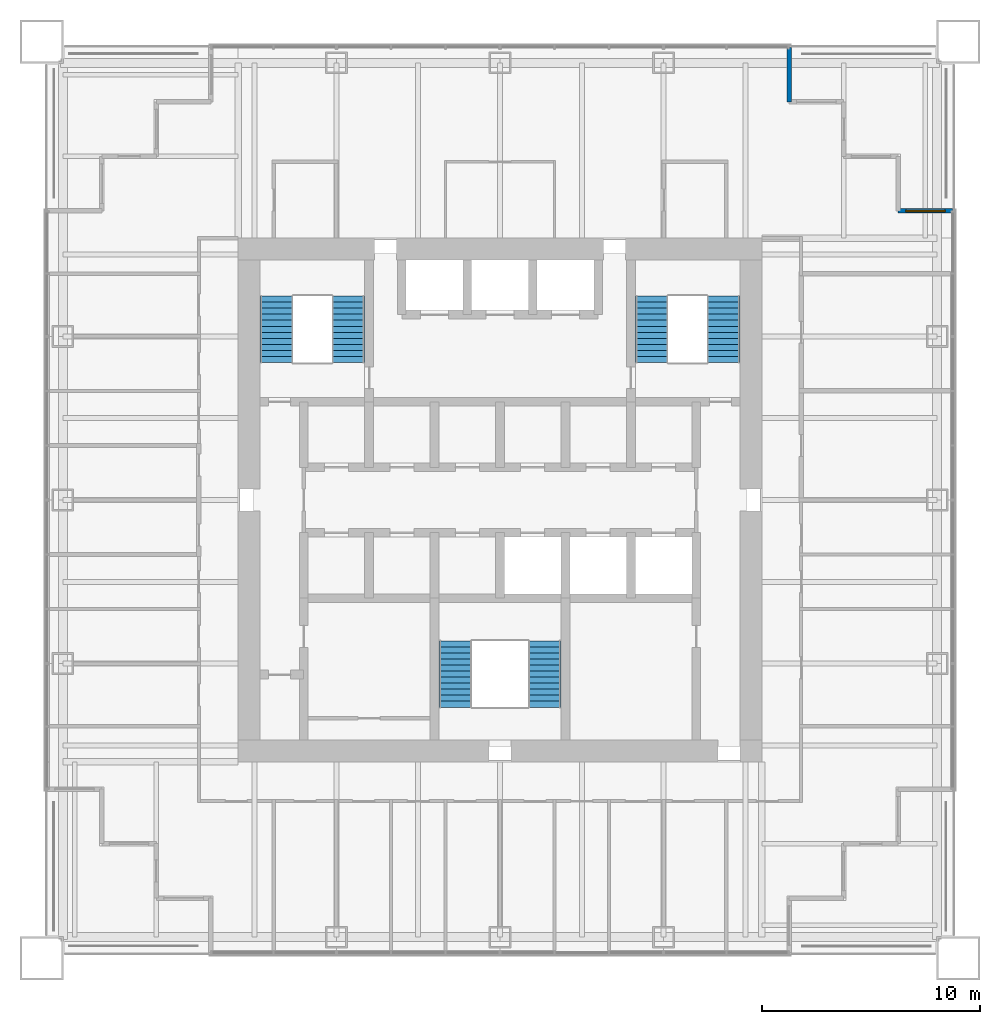
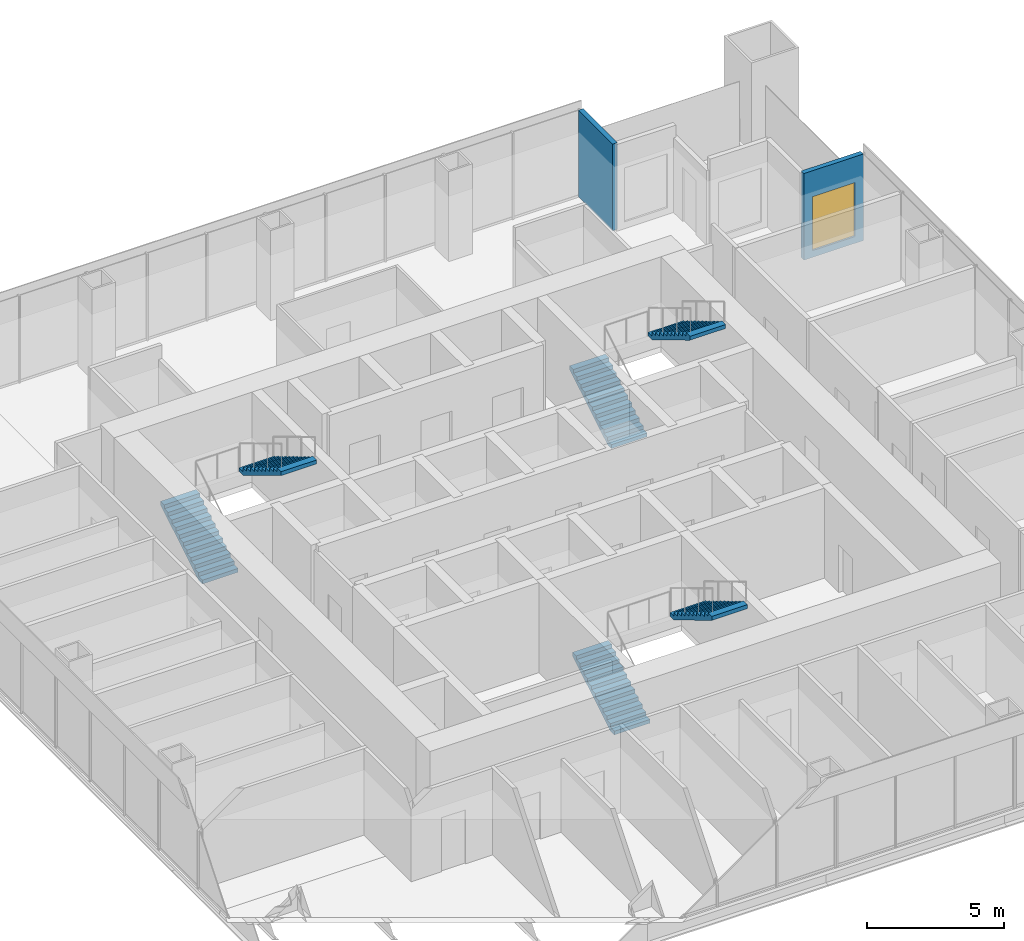
# One storey, part 13 of 15: 6 stair flights, 2 walls, 1 window, 1 opening, 3 elements without a shape of their own.
"""IFC4 building model written with IfcOpenShell, lengths in metres."""

import ifcopenshell
import ifcopenshell.guid

model = None  # the IFC model being written
_history = None  # IfcOwnerHistory: only IFC2X3 demands one
_inside = {}  # id of a spatial element -> (the spatial element, [elements in it])
_under = {}  # id of a project, library or spatial element -> (it, [spatial elements below it])
_declared = {}  # id of a project -> (the project, [libraries it declares])
_typed = {}  # id of a type object -> (the type object, [elements of that type])
_made_of = {}  # id of a material, layer set ... -> (it, [elements and type objects made of it])


def new_model(schema):
    """Start an empty IFC model of exactly this schema.

    Asked for "IFC4X3", IfcOpenShell would pick the latest addendum, in which some entities
    have other attributes; the version numbers below select the first issue.
    IFC2X3 requires an IfcOwnerHistory on every rooted entity: one is made here for all.
    """
    global model, _history
    if schema == "IFC4X3":
        model = ifcopenshell.file(schema_version=(4, 3, 0, 0))
    else:
        model = ifcopenshell.file(schema=schema)
    _inside.clear()
    _under.clear()
    _declared.clear()
    _typed.clear()
    _made_of.clear()
    _history = None
    if model.schema == "IFC2X3":
        org = make("IfcOrganization", Name="unknown")
        user = make(
            "IfcPersonAndOrganization",
            ThePerson=make("IfcPerson", FamilyName="unknown"),
            TheOrganization=org,
        )
        app = make(
            "IfcApplication",
            ApplicationDeveloper=org,
            Version="unknown",
            ApplicationFullName="unknown",
            ApplicationIdentifier="unknown",
        )
        _history = make(
            "IfcOwnerHistory",
            OwningUser=user,
            OwningApplication=app,
            ChangeAction="ADDED",
            CreationDate=0,
        )
    return model


def make(cls, **values):
    """One entity of the class cls with the attributes given. An attribute that is None is left unset."""
    return model.create_entity(
        cls, **{name: value for name, value in values.items() if value is not None}
    )


def rooted(cls, **values):
    """An entity with a GlobalId (a new one), such as an element, a storey or a relation."""
    return make(cls, GlobalId=ifcopenshell.guid.new(), OwnerHistory=_history, **values)


def si_unit(unit_type, name, prefix=None):
    """IfcSIUnit, for example si_unit("LENGTHUNIT", "METRE", prefix="MILLI")."""
    return make("IfcSIUnit", UnitType=unit_type, Prefix=prefix, Name=name)


def assignment(units):
    """IfcUnitAssignment: the units of a project."""
    return None if units is None else make("IfcUnitAssignment", Units=units)


def point(xyz):
    """IfcCartesianPoint."""
    return None if xyz is None else make("IfcCartesianPoint", Coordinates=xyz)


def direction(xyz):
    """IfcDirection."""
    return None if xyz is None else make("IfcDirection", DirectionRatios=xyz)


def frame(location, z_axis=None, x_axis=None):
    """IfcAxis2Placement3D, a coordinate frame: its origin and axes. An axis left out is left unset."""
    return make(
        "IfcAxis2Placement3D",
        Location=point(location),
        Axis=direction(z_axis),
        RefDirection=direction(x_axis),
    )


def frame_2d(location, x_axis=None):
    """IfcAxis2Placement2D, a coordinate frame in the plane: its origin and x axis."""
    return make(
        "IfcAxis2Placement2D", Location=point(location), RefDirection=direction(x_axis)
    )


def origin():
    """The frame at (0, 0, 0) with its axes left unset."""
    return frame((0.0, 0.0, 0.0))


def place(relative_to, where):
    """IfcLocalPlacement: puts the frame where relative to a parent placement (None: the world)."""
    return make(
        "IfcLocalPlacement", PlacementRelTo=relative_to, RelativePlacement=where
    )


def context(
    kind, dimensions, precision=None, world=None, true_north=None, identifier=None
):
    """IfcGeometricRepresentationContext, for example the 3D "Model" context."""
    return make(
        "IfcGeometricRepresentationContext",
        ContextIdentifier=identifier,
        ContextType=kind,
        CoordinateSpaceDimension=dimensions,
        Precision=precision,
        WorldCoordinateSystem=world,
        TrueNorth=true_north,
    )


def subcontext(parent, identifier, kind, view, scale=None):
    """IfcGeometricRepresentationSubContext, for example "Body" below "Model"."""
    return make(
        "IfcGeometricRepresentationSubContext",
        ContextIdentifier=identifier,
        ContextType=kind,
        ParentContext=parent,
        TargetScale=scale,
        TargetView=view,
    )


def project(units=None, contexts=None):
    """IfcProject with its units and contexts."""
    return rooted(
        "IfcProject",
        Name="project",
        RepresentationContexts=contexts,
        UnitsInContext=assignment(units),
    )


def spatial(cls, under=None, at=None, **own):
    """A site, building, storey or space (cls), placed at a placement, below another one or the project."""
    s = rooted(cls, ObjectPlacement=at, **own)
    if under is not None:
        _under.setdefault(under.id(), (under, []))[1].append(s)
    return s


def polyline(points):
    """IfcPolyline through the points."""
    return make("IfcPolyline", Points=[point(p) for p in points])


def profile(cls, at=None, kind="AREA", **sizes):
    """A parametric profile (cls). Its sizes go by their IFC names, for example OverallWidth=200.0."""
    return make(cls, ProfileType=kind, Position=at, **sizes)


def rectangle(**sizes):
    """IfcRectangleProfileDef."""
    return profile("IfcRectangleProfileDef", **sizes)


def outline(outer, holes=None, kind="AREA"):
    """IfcArbitraryClosedProfileDef: a profile drawn as a closed curve; with holes, ...WithVoids."""
    if holes is None:
        return make("IfcArbitraryClosedProfileDef", ProfileType=kind, OuterCurve=outer)
    return make(
        "IfcArbitraryProfileDefWithVoids",
        ProfileType=kind,
        OuterCurve=outer,
        InnerCurves=holes,
    )


def extrude(swept, where, along, depth):
    """IfcExtrudedAreaSolid: the profile swept, set in the frame where, extruded along a direction by depth."""
    return make(
        "IfcExtrudedAreaSolid",
        SweptArea=swept,
        Position=where,
        ExtrudedDirection=direction(along),
        Depth=depth,
    )


def shape(context_of_items, identifier, shape_type, items):
    """IfcShapeRepresentation: the items that make up one representation, for example the "Body"."""
    return make(
        "IfcShapeRepresentation",
        ContextOfItems=context_of_items,
        RepresentationIdentifier=identifier,
        RepresentationType=shape_type,
        Items=items,
    )


def material(Name=None, Category=None):
    """IfcMaterial."""
    return make("IfcMaterial", Name=Name, Category=Category)


def layer(
    of_material, thickness, ventilated=None, Name=None, Category=None, Priority=None
):
    """IfcMaterialLayer: one layer of a wall or slab, of a material (None: an air gap)."""
    return make(
        "IfcMaterialLayer",
        Material=of_material,
        LayerThickness=thickness,
        IsVentilated=ventilated,
        Name=Name,
        Category=Category,
        Priority=Priority,
    )


def layer_set(layers, Name=None):
    """IfcMaterialLayerSet."""
    return make("IfcMaterialLayerSet", MaterialLayers=layers, LayerSetName=Name)


def made_of(thing, what):
    """Note that an element or type object is made of a material, layer set ...; save() writes the relation."""
    if what is not None:
        _made_of.setdefault(what.id(), (what, []))[1].append(thing)
    return thing


def type_object(cls, material=None, **own):
    """A type object (cls), such as IfcWallType, which elements share."""
    return made_of(rooted(cls, **own), material)


def element(
    cls,
    number,
    at=None,
    inside=None,
    cuts=None,
    type_object=None,
    material=None,
    context=None,
    identifier="Body",
    shape_type=None,
    held_by="IfcProductDefinitionShape",
    body=None,
    shapes=None,
    **own,
):
    """One element of the class cls, such as IfcWall. Its Tag is "e" and its number.

    at: its placement. inside: the storey or other place that contains it. cuts: it is an
    opening in that element (IfcRelVoidsElement). A single representation is given by context,
    identifier, shape_type and body (its items); several are given by shapes. held_by: the class
    of the entity that holds the representations. save() writes the other relations.
    """
    e = rooted(cls, Tag="e%d" % number, ObjectPlacement=at, **own)
    if body is not None:
        shapes = [shape(context, identifier, shape_type, body)]
    if shapes is not None:
        e.Representation = make(held_by, Representations=shapes)
    if inside is not None:
        _inside.setdefault(inside.id(), (inside, []))[1].append(e)
    if cuts is not None:
        rooted(
            "IfcRelVoidsElement", RelatingBuildingElement=cuts, RelatedOpeningElement=e
        )
    if type_object is not None:
        _typed.setdefault(type_object.id(), (type_object, []))[1].append(e)
    return made_of(e, material)


def fill(opening, filler):
    """IfcRelFillsElement: the door or window that sits in an opening."""
    return rooted(
        "IfcRelFillsElement",
        RelatingOpeningElement=opening,
        RelatedBuildingElement=filler,
    )


def aggregate(whole, parts):
    """IfcRelAggregates: a whole, such as a stair, and the parts it consists of."""
    return rooted("IfcRelAggregates", RelatingObject=whole, RelatedObjects=parts)


def save(model, path):
    """Write the relations noted so far, then the file.

    IfcRelAggregates (storeys below a building ...), IfcRelContainedInSpatialStructure (elements
    in a storey), IfcRelDefinesByType, IfcRelAssociatesMaterial and IfcRelDeclares: one each for
    every whole, place, type object, material and project.
    """
    for whole, parts in _under.values():
        aggregate(whole, parts)
    for where, things in _inside.values():
        rooted(
            "IfcRelContainedInSpatialStructure",
            RelatedElements=things,
            RelatingStructure=where,
        )
    for kind, things in _typed.values():
        rooted("IfcRelDefinesByType", RelatedObjects=things, RelatingType=kind)
    for what, things in _made_of.values():
        rooted("IfcRelAssociatesMaterial", RelatedObjects=things, RelatingMaterial=what)
    for by, libraries in _declared.values():
        rooted("IfcRelDeclares", RelatingContext=by, RelatedDefinitions=libraries)
    model.write(path)


model = new_model("IFC4")

# Units and contexts
model_context = context("Model", 3, precision=1e-05, world=origin(), true_north=direction((0.0, 1.0)))
body_context = subcontext(model_context, "Body", "Model", "MODEL_VIEW")
ifc_project = project(units=[si_unit("LENGTHUNIT", "METRE"), si_unit("AREAUNIT", "SQUARE_METRE"), si_unit("VOLUMEUNIT", "CUBIC_METRE"), si_unit("PLANEANGLEUNIT", "RADIAN"), si_unit("MASSUNIT", "GRAM", prefix="KILO")], contexts=[model_context])

# Site, building, storey
site_placement = place(None, origin())
site = spatial("IfcSite", under=ifc_project, at=site_placement, CompositionType="ELEMENT")
building_placement = place(site_placement, origin())
building = spatial("IfcBuilding", under=site, at=building_placement, Name="Tarangal Relay Tower", CompositionType="ELEMENT")
storey_placement = place(building_placement, frame((0.0, 0.0, 299.89990234375)))
storey = spatial("IfcBuildingStorey", under=building, at=storey_placement, Name="L66", CompositionType="ELEMENT", Elevation=299.89990234375)

# Wall
ifc_material_1 = material(Name="Black metal clad insulated wall", Category="steel")
ifc_layer = layer(ifc_material_1, 0.199951171875)
ifc_layer_set = layer_set([ifc_layer], Name="Corner wall metal clad 200")
wall_type = type_object("IfcWallType", Name="Corner wall metal clad 200", PredefinedType="SOLIDWALL", material=ifc_layer_set)
wall_1_placement = place(storey_placement, frame((13.25, 20.75, 0.0), z_axis=(0.0, 0.0, 1.0), x_axis=(0.0, -1.0, 0.0)))
element("IfcWall", 1, at=wall_1_placement, inside=storey, type_object=wall_type, Name="Facade wall N facade L66", PredefinedType="SOLIDWALL", context=body_context, shape_type="SweptSolid", body=[
    extrude(rectangle(XDim=2.5, YDim=0.199951171875, at=frame_2d((1.25, 0.0))), origin(), (0.0, 0.0, 1.0), 3.85009765625),
])

# Wall, opening, window
wall_2_placement = place(storey_placement, frame((18.25, 13.25, 0.0), z_axis=(0.0, 0.0, 1.0), x_axis=(1.0, 0.0, 0.0)))
wall_2 = element("IfcWall", 2, at=wall_2_placement, inside=storey, type_object=wall_type, Name="Facade wall N facade L66", PredefinedType="SOLIDWALL", context=body_context, shape_type="SweptSolid", body=[
    extrude(rectangle(XDim=2.5, YDim=0.199951171875, at=frame_2d((1.25, 0.0))), origin(), (0.0, 0.0, 1.0), 3.85009765625),
])
opening_placement = place(wall_2_placement, frame((0.35009765625, 0.0, 0.300048828125)))
opening = element("IfcOpeningElement", 3, at=opening_placement, cuts=wall_2, Name="Opening WN2", PredefinedType="OPENING", context=body_context, shape_type="SweptSolid", body=[
    extrude(rectangle(XDim=1.800048828125, YDim=2.39990234375, at=frame_2d((0.89990234375, 1.199951171875))), frame((0.0, 0.10986328125, 0.0), z_axis=(0.0, -1.0, 0.0), x_axis=(1.0, 0.0, 0.0)), (0.0, 0.0, 1.0), 0.219970703125),
])
ifc_material_2 = material(Name="Dark tinted double glazing in black aluminium frame", Category="aluminium")
window_type = type_object("IfcWindowType", Name="Corner window 1800 x 2400", PartitioningType="SINGLE_PANEL", PredefinedType="WINDOW", material=ifc_material_2)
window_placement = place(opening_placement, origin())
window = element("IfcWindow", 4, at=window_placement, inside=storey, type_object=window_type, Name="Corner window WN2 N facade L66", OverallHeight=2.39990234375, OverallWidth=1.800048828125, PartitioningType="SINGLE_PANEL", PredefinedType="WINDOW", context=body_context, shape_type="SweptSolid", body=[
    extrude(rectangle(XDim=1.800048828125, YDim=2.39990234375, at=frame_2d((0.89990234375, 1.199951171875))), frame((0.0, 0.030029296875, 0.0), z_axis=(0.0, -1.0, 0.0), x_axis=(1.0, 0.0, 0.0)), (0.0, 0.0, 1.0), 0.06005859375),
])
fill(opening, window)

# Stair, stair flights
ifc_material_3 = material(Name="Steel ASTM A992 stair flight", Category="steel")
stair_type = type_object("IfcStairType", Name="Core stair 1500", PredefinedType="HALF_TURN_STAIR", material=ifc_material_3)
stair_1_placement = place(storey_placement, origin())
stair_1 = element("IfcStair", 5, at=stair_1_placement, inside=storey, type_object=stair_type, Name="Stair ST-A L66", PredefinedType="HALF_TURN_STAIR")
stair_flight_type = type_object("IfcStairFlightType", Name="Steel stair flight 1500, 12 risers 167 x 277", PredefinedType="STRAIGHT", material=ifc_material_3)
stair_flight_1_placement = place(storey_placement, frame((-10.25, 6.300048828125, 0.0), z_axis=(0.0, 0.0, 1.0), x_axis=(0.0, 1.0, 0.0)))
stair_flight_1 = element("IfcStairFlight", 6, at=stair_flight_1_placement, type_object=stair_flight_type, Name="ST-A flight 1", NumberOfRisers=12, NumberOfTreads=11, PredefinedType="STRAIGHT", RiserHeight=0.166666667, TreadLength=0.277, context=body_context, shape_type="SweptSolid", body=[
    extrude(outline(polyline([(0.0, 0.0), (0.0, 0.166748046875), (0.277099609375, 0.166748046875), (0.277099609375, 0.333251953125), (0.553955078125, 0.333251953125), (0.553955078125, 0.5), (0.8310546875, 0.5), (0.8310546875, 0.666748046875), (1.10791015625, 0.666748046875), (1.10791015625, 0.833251953125), (1.385009765625, 0.833251953125), (1.385009765625, 1.0), (1.662109375, 1.0), (1.662109375, 1.166748046875), (1.93896484375, 1.166748046875), (1.93896484375, 1.333251953125), (2.216064453125, 1.333251953125), (2.216064453125, 1.5), (2.492919921875, 1.5), (2.492919921875, 1.666748046875), (2.77001953125, 1.666748046875), (2.77001953125, 1.833251953125), (3.047119140625, 1.833251953125), (3.047119140625, 2.0), (3.047119140625, 1.658447265625), (0.290771484375, 0.0), (0.0, 0.0)])), frame((0.0, 0.75, 0.0), z_axis=(0.0, -1.0, 0.0), x_axis=(1.0, 0.0, 0.0)), (0.0, 0.0, 1.0), 1.5),
])
stair_flight_2_placement = place(storey_placement, frame((-6.949951171875, 9.346923828125, 2.0), z_axis=(0.0, 0.0, 1.0), x_axis=(0.0, -1.0, 0.0)))
stair_flight_2 = element("IfcStairFlight", 7, at=stair_flight_2_placement, type_object=stair_flight_type, Name="ST-A flight 2", NumberOfRisers=12, NumberOfTreads=11, PredefinedType="STRAIGHT", RiserHeight=0.166666667, TreadLength=0.277, context=body_context, shape_type="SweptSolid", body=[
    extrude(outline(polyline([(0.0, 0.0), (0.0, 0.166748046875), (0.277099609375, 0.166748046875), (0.277099609375, 0.333251953125), (0.553955078125, 0.333251953125), (0.553955078125, 0.5), (0.8310546875, 0.5), (0.8310546875, 0.666748046875), (1.10791015625, 0.666748046875), (1.10791015625, 0.833251953125), (1.385009765625, 0.833251953125), (1.385009765625, 1.0), (1.662109375, 1.0), (1.662109375, 1.166748046875), (1.93896484375, 1.166748046875), (1.93896484375, 1.333251953125), (2.216064453125, 1.333251953125), (2.216064453125, 1.5), (2.492919921875, 1.5), (2.492919921875, 1.666748046875), (2.77001953125, 1.666748046875), (2.77001953125, 1.833251953125), (3.047119140625, 1.833251953125), (3.047119140625, 2.0), (3.047119140625, 1.658447265625), (0.290771484375, 0.0), (0.0, 0.0)])), frame((0.0, 0.75, 0.0), z_axis=(0.0, -1.0, 0.0), x_axis=(1.0, 0.0, 0.0)), (0.0, 0.0, 1.0), 1.5),
])
aggregate(stair_1, [stair_flight_1, stair_flight_2])

stair_2_placement = place(storey_placement, origin())
stair_2 = element("IfcStair", 8, at=stair_2_placement, inside=storey, type_object=stair_type, Name="Stair ST-B L66", PredefinedType="HALF_TURN_STAIR")
stair_flight_3_placement = place(storey_placement, frame((6.949951171875, 6.300048828125, 0.0), z_axis=(0.0, 0.0, 1.0), x_axis=(0.0, 1.0, 0.0)))
stair_flight_3 = element("IfcStairFlight", 9, at=stair_flight_3_placement, type_object=stair_flight_type, Name="ST-B flight 1", NumberOfRisers=12, NumberOfTreads=11, PredefinedType="STRAIGHT", RiserHeight=0.166666667, TreadLength=0.277, context=body_context, shape_type="SweptSolid", body=[
    extrude(outline(polyline([(0.0, 0.0), (0.0, 0.166748046875), (0.277099609375, 0.166748046875), (0.277099609375, 0.333251953125), (0.553955078125, 0.333251953125), (0.553955078125, 0.5), (0.8310546875, 0.5), (0.8310546875, 0.666748046875), (1.10791015625, 0.666748046875), (1.10791015625, 0.833251953125), (1.385009765625, 0.833251953125), (1.385009765625, 1.0), (1.662109375, 1.0), (1.662109375, 1.166748046875), (1.93896484375, 1.166748046875), (1.93896484375, 1.333251953125), (2.216064453125, 1.333251953125), (2.216064453125, 1.5), (2.492919921875, 1.5), (2.492919921875, 1.666748046875), (2.77001953125, 1.666748046875), (2.77001953125, 1.833251953125), (3.047119140625, 1.833251953125), (3.047119140625, 2.0), (3.047119140625, 1.658447265625), (0.290771484375, 0.0), (0.0, 0.0)])), frame((0.0, 0.75, 0.0), z_axis=(0.0, -1.0, 0.0), x_axis=(1.0, 0.0, 0.0)), (0.0, 0.0, 1.0), 1.5),
])
stair_flight_4_placement = place(storey_placement, frame((10.25, 9.346923828125, 2.0), z_axis=(0.0, 0.0, 1.0), x_axis=(0.0, -1.0, 0.0)))
stair_flight_4 = element("IfcStairFlight", 10, at=stair_flight_4_placement, type_object=stair_flight_type, Name="ST-B flight 2", NumberOfRisers=12, NumberOfTreads=11, PredefinedType="STRAIGHT", RiserHeight=0.166666667, TreadLength=0.277, context=body_context, shape_type="SweptSolid", body=[
    extrude(outline(polyline([(0.0, 0.0), (0.0, 0.166748046875), (0.277099609375, 0.166748046875), (0.277099609375, 0.333251953125), (0.553955078125, 0.333251953125), (0.553955078125, 0.5), (0.8310546875, 0.5), (0.8310546875, 0.666748046875), (1.10791015625, 0.666748046875), (1.10791015625, 0.833251953125), (1.385009765625, 0.833251953125), (1.385009765625, 1.0), (1.662109375, 1.0), (1.662109375, 1.166748046875), (1.93896484375, 1.166748046875), (1.93896484375, 1.333251953125), (2.216064453125, 1.333251953125), (2.216064453125, 1.5), (2.492919921875, 1.5), (2.492919921875, 1.666748046875), (2.77001953125, 1.666748046875), (2.77001953125, 1.833251953125), (3.047119140625, 1.833251953125), (3.047119140625, 2.0), (3.047119140625, 1.658447265625), (0.290771484375, 0.0), (0.0, 0.0)])), frame((0.0, 0.75, 0.0), z_axis=(0.0, -1.0, 0.0), x_axis=(1.0, 0.0, 0.0)), (0.0, 0.0, 1.0), 1.5),
])
aggregate(stair_2, [stair_flight_3, stair_flight_4])

stair_3_placement = place(storey_placement, origin())
stair_3 = element("IfcStair", 11, at=stair_3_placement, inside=storey, type_object=stair_type, Name="Stair ST-C L66", PredefinedType="HALF_TURN_STAIR")
stair_flight_5_placement = place(storey_placement, frame((-2.050048828125, -9.5, 0.0), z_axis=(0.0, 0.0, 1.0), x_axis=(0.0, 1.0, 0.0)))
stair_flight_5 = element("IfcStairFlight", 12, at=stair_flight_5_placement, type_object=stair_flight_type, Name="ST-C flight 1", NumberOfRisers=12, NumberOfTreads=11, PredefinedType="STRAIGHT", RiserHeight=0.166666667, TreadLength=0.277, context=body_context, shape_type="SweptSolid", body=[
    extrude(outline(polyline([(0.0, 0.0), (0.0, 0.166748046875), (0.277099609375, 0.166748046875), (0.277099609375, 0.333251953125), (0.553955078125, 0.333251953125), (0.553955078125, 0.5), (0.8310546875, 0.5), (0.8310546875, 0.666748046875), (1.10791015625, 0.666748046875), (1.10791015625, 0.833251953125), (1.385009765625, 0.833251953125), (1.385009765625, 1.0), (1.662109375, 1.0), (1.662109375, 1.166748046875), (1.93896484375, 1.166748046875), (1.93896484375, 1.333251953125), (2.216064453125, 1.333251953125), (2.216064453125, 1.5), (2.492919921875, 1.5), (2.492919921875, 1.666748046875), (2.77001953125, 1.666748046875), (2.77001953125, 1.833251953125), (3.047119140625, 1.833251953125), (3.047119140625, 2.0), (3.047119140625, 1.658447265625), (0.290771484375, 0.0), (0.0, 0.0)])), frame((0.0, 0.75, 0.0), z_axis=(0.0, -1.0, 0.0), x_axis=(1.0, 0.0, 0.0)), (0.0, 0.0, 1.0), 1.5),
])
stair_flight_6_placement = place(storey_placement, frame((2.050048828125, -6.452880859375, 2.0), z_axis=(0.0, 0.0, 1.0), x_axis=(0.0, -1.0, 0.0)))
stair_flight_6 = element("IfcStairFlight", 13, at=stair_flight_6_placement, type_object=stair_flight_type, Name="ST-C flight 2", NumberOfRisers=12, NumberOfTreads=11, PredefinedType="STRAIGHT", RiserHeight=0.166666667, TreadLength=0.277, context=body_context, shape_type="SweptSolid", body=[
    extrude(outline(polyline([(0.0, 0.0), (0.0, 0.166748046875), (0.277099609375, 0.166748046875), (0.277099609375, 0.333251953125), (0.553955078125, 0.333251953125), (0.553955078125, 0.5), (0.8310546875, 0.5), (0.8310546875, 0.666748046875), (1.10791015625, 0.666748046875), (1.10791015625, 0.833251953125), (1.385009765625, 0.833251953125), (1.385009765625, 1.0), (1.662109375, 1.0), (1.662109375, 1.166748046875), (1.93896484375, 1.166748046875), (1.93896484375, 1.333251953125), (2.216064453125, 1.333251953125), (2.216064453125, 1.5), (2.492919921875, 1.5), (2.492919921875, 1.666748046875), (2.77001953125, 1.666748046875), (2.77001953125, 1.833251953125), (3.047119140625, 1.833251953125), (3.047119140625, 2.0), (3.047119140625, 1.658447265625), (0.290771484375, 0.0), (0.0, 0.0)])), frame((0.0, 0.75, 0.0), z_axis=(0.0, -1.0, 0.0), x_axis=(1.0, 0.0, 0.0)), (0.0, 0.0, 1.0), 1.5),
])
aggregate(stair_3, [stair_flight_5, stair_flight_6])

save(model, "model.ifc")
